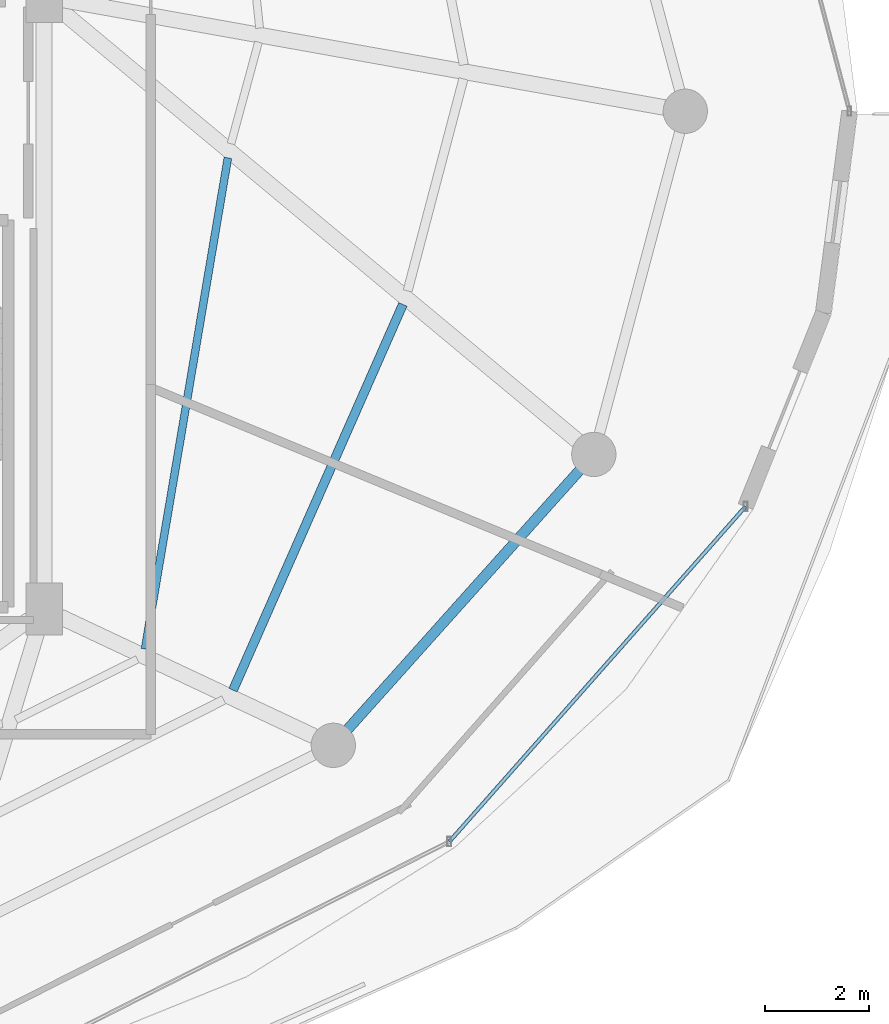
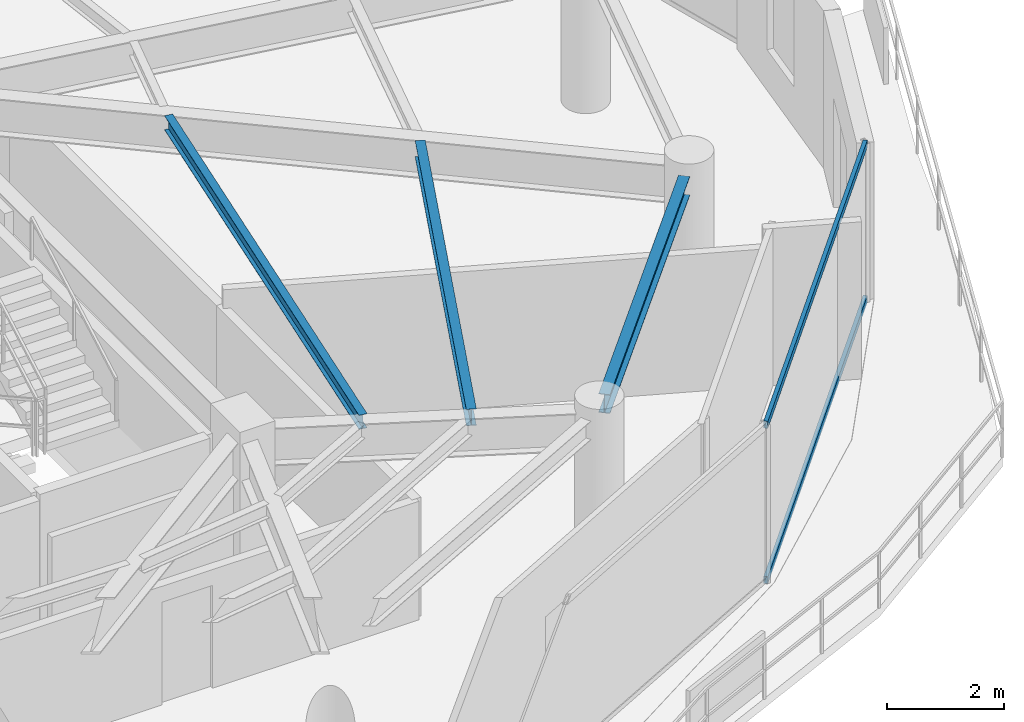
# One storey, part 12 of 30: 3 beams, 2 members, 1 element without a shape of its own.
"""IFC4 building model written with IfcOpenShell, lengths in metres."""

from ifc_helpers import new_model, si_unit, direction, frame, origin, origin_2d, place, context, subcontext, project, spatial, hollow_rectangle, i_section, extrude, material, material_profile, profile_set, type_object, element, aggregate, save


model = new_model("IFC4")

# Units and contexts
model_context = context("Model", 3, precision=1e-05, world=origin(), true_north=direction((0.0, 1.0)))
body_context = subcontext(model_context, "Body", "Model", "MODEL_VIEW")
ifc_project = project(units=[si_unit("LENGTHUNIT", "METRE"), si_unit("AREAUNIT", "SQUARE_METRE"), si_unit("VOLUMEUNIT", "CUBIC_METRE"), si_unit("PLANEANGLEUNIT", "RADIAN"), si_unit("MASSUNIT", "GRAM", prefix="KILO")], contexts=[model_context])

# Site, building, storey
site_placement = place(None, origin())
site = spatial("IfcSite", under=ifc_project, at=site_placement, CompositionType="ELEMENT")
building_placement = place(site_placement, origin())
building = spatial("IfcBuilding", under=site, at=building_placement, Name="Vorneva Point Tower", CompositionType="ELEMENT")
storey_placement = place(building_placement, frame((0.0, 0.0, 234.25)))
storey = spatial("IfcBuildingStorey", under=building, at=storey_placement, Name="L63", CompositionType="ELEMENT", Elevation=234.25)

# Beams
ifc_material_1 = material(Name="Steel S355", Category="steel")
ifc_material_profile_1 = material_profile(ifc_material_1, i_section(OverallWidth=0.14892578125, OverallDepth=0.298095703125, WebThickness=0.005615234375, FlangeThickness=0.008056640625, at=origin_2d()), Name="30B1")
ifc_profile_set_1 = profile_set([ifc_material_profile_1], Name="Steel S355")
beam_type_1 = type_object("IfcBeamType", Name="BM-JST-30B1", PredefinedType="JOIST", material=ifc_profile_set_1)
beam_1_placement = place(storey_placement, frame((50.686767578125, 15.68505859375, 3.14111328125), z_axis=(0.166457815595, 0.986048576708, 0.0), x_axis=(-0.986048576708, 0.166457815595, 0.0)))
element("IfcBeam", 1, at=beam_1_placement, inside=storey, type_object=beam_type_1, Name="L63 Secondary Floor Beam 2.15", PredefinedType="JOIST", context=body_context, shape_type="SweptSolid", body=[
    extrude(i_section(OverallWidth=0.14892578125, OverallDepth=0.298095703125, WebThickness=0.005615234375, FlangeThickness=0.008056640625, at=origin_2d()), origin(), (0.0, 0.0, 1.0), 9.555419921875),
])
ifc_material_profile_2 = material_profile(ifc_material_1, i_section(OverallWidth=0.174072265625, OverallDepth=0.345947265625, WebThickness=0.006103515625, FlangeThickness=0.009033203125, at=origin_2d()), Name="35B1")
ifc_profile_set_2 = profile_set([ifc_material_profile_2], Name="Steel S355")
beam_type_2 = type_object("IfcBeamType", Name="BM-SEC-35B1", PredefinedType="BEAM", material=ifc_profile_set_2)
beam_2_placement = place(storey_placement, frame((52.37451171875, 14.896240234375, 3.116943359375), z_axis=(0.40308772822, 0.915161342802, 0.0), x_axis=(-0.915161342802, 0.40308772822, 0.0)))
element("IfcBeam", 2, at=beam_2_placement, inside=storey, type_object=beam_type_2, Name="L63 Secondary Floor Beam 1.15", PredefinedType="BEAM", context=body_context, shape_type="SweptSolid", body=[
    extrude(i_section(OverallWidth=0.174072265625, OverallDepth=0.345947265625, WebThickness=0.006103515625, FlangeThickness=0.009033203125, at=origin_2d()), origin(), (0.0, 0.0, 1.0), 8.08447265625),
])
ifc_material_profile_3 = material_profile(ifc_material_1, i_section(OverallWidth=0.198974609375, OverallDepth=0.39599609375, WebThickness=0.007080078125, FlangeThickness=0.010986328125, at=origin_2d()), Name="40B1")
ifc_profile_set_3 = profile_set([ifc_material_profile_3], Name="Steel S355")
beam_type_3 = type_object("IfcBeamType", Name="BM-SPN-40B1", PredefinedType="SPANDREL", material=ifc_profile_set_3)
beam_3_placement = place(storey_placement, frame((54.572265625, 14.143310546875, 3.092041015625), z_axis=(0.667108282638, 0.744960763554, 0.0), x_axis=(-0.744960763554, 0.667108282638, 0.0)))
element("IfcBeam", 3, at=beam_3_placement, inside=storey, type_object=beam_type_3, Name="L63 Perimeter Spandrel Ring Beam 15", PredefinedType="SPANDREL", context=body_context, shape_type="SweptSolid", body=[
    extrude(i_section(OverallWidth=0.198974609375, OverallDepth=0.39599609375, WebThickness=0.007080078125, FlangeThickness=0.010986328125, at=origin_2d()), origin(), (0.0, 0.0, 1.0), 6.670166015625),
])

# Curtain wall, members
ifc_material_2 = material(Name="Pale anodised aluminium", Category="aluminium")
curtain_wall_type = type_object("IfcCurtainWallType", Name="CW-RES-SYS", PredefinedType="NOTDEFINED", material=ifc_material_2)
curtain_wall_placement = place(storey_placement, origin())
curtain_wall = element("IfcCurtainWall", 4, at=curtain_wall_placement, inside=storey, type_object=curtain_wall_type, Name="L63 Unitised Curtain Wall CW-L63-R04", PredefinedType="NOTDEFINED")
ifc_material_profile_4 = material_profile(ifc_material_2, hollow_rectangle(XDim=0.074951171875, YDim=0.14990234375, WallThickness=0.00390625, at=origin_2d()), Name="AL-TRN 150x75x4")
ifc_profile_set_4 = profile_set([ifc_material_profile_4], Name="Pale anodised aluminium")
member_type = type_object("IfcMemberType", Name="CW-TRN-150", PredefinedType="USERDEFINED", material=ifc_profile_set_4)
member_1_placement = place(storey_placement, frame((56.526123046875, 11.9921875, 0.02001953125), z_axis=(0.662196681357, 0.74933007093, 0.0), x_axis=(-0.74933007093, 0.662196681357, 0.0)))
member_1 = element("IfcMember", 5, at=member_1_placement, type_object=member_type, Name="CW-L63-R04 Transom 05.1", ObjectType="TRANSOM", PredefinedType="USERDEFINED", context=body_context, shape_type="SweptSolid", body=[
    extrude(hollow_rectangle(XDim=0.074951171875, YDim=0.14990234375, WallThickness=0.00390625, at=origin_2d()), origin(), (0.0, 0.0, 1.0), 8.57666015625),
])
member_2_placement = place(storey_placement, frame((56.526123046875, 11.9921875, 3.27001953125), z_axis=(0.662196681357, 0.74933007093, 0.0), x_axis=(-0.74933007093, 0.662196681357, 0.0)))
member_2 = element("IfcMember", 6, at=member_2_placement, type_object=member_type, Name="CW-L63-R04 Transom 05.2", ObjectType="TRANSOM", PredefinedType="USERDEFINED", context=body_context, shape_type="SweptSolid", body=[
    extrude(hollow_rectangle(XDim=0.074951171875, YDim=0.14990234375, WallThickness=0.00390625, at=origin_2d()), origin(), (0.0, 0.0, 1.0), 8.57666015625),
])
aggregate(curtain_wall, [member_1, member_2])

save(model, "model.ifc")
